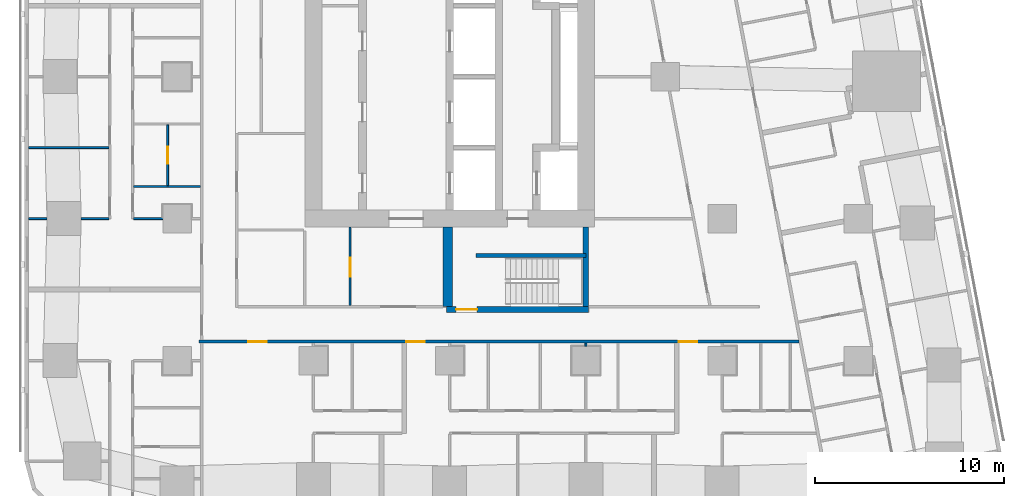
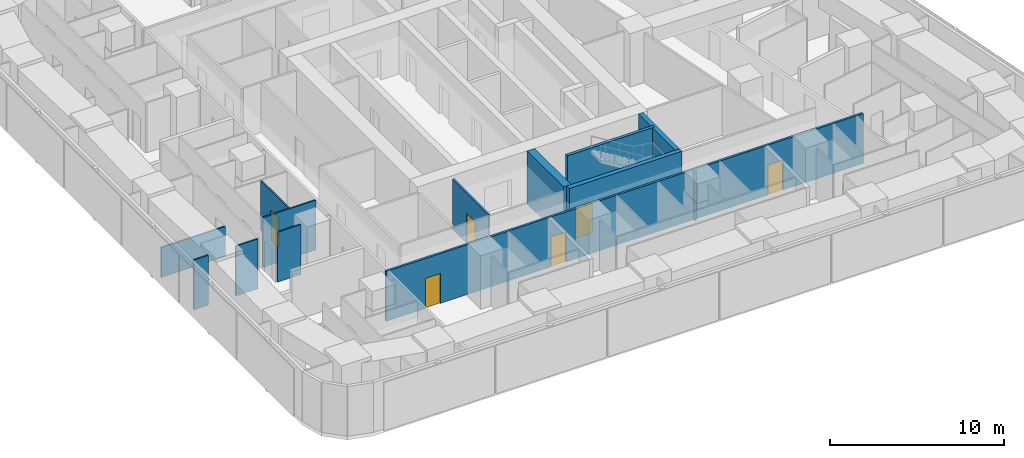
# One storey, part 4 of 15: 13 walls, 6 doors, 6 openings.
"""IFC4 building model written with IfcOpenShell, lengths in metres."""

from ifc_helpers import new_model, si_unit, direction, frame, frame_2d, origin, place, context, subcontext, project, spatial, rectangle, extrude, material, layer, layer_set, type_object, element, fill, save


model = new_model("IFC4")

# Units and contexts
model_context = context("Model", 3, precision=1e-05, world=origin(), true_north=direction((0.0, 1.0)))
body_context = subcontext(model_context, "Body", "Model", "MODEL_VIEW")
ifc_project = project(units=[si_unit("LENGTHUNIT", "METRE"), si_unit("AREAUNIT", "SQUARE_METRE"), si_unit("VOLUMEUNIT", "CUBIC_METRE"), si_unit("PLANEANGLEUNIT", "RADIAN"), si_unit("MASSUNIT", "GRAM", prefix="KILO")], contexts=[model_context])

# Site, building, storey
site_placement = place(None, origin())
site = spatial("IfcSite", under=ifc_project, at=site_placement, CompositionType="ELEMENT")
building_placement = place(site_placement, origin())
building = spatial("IfcBuilding", under=site, at=building_placement, Name="Sheger Commons Tower", CompositionType="ELEMENT")
storey_placement = place(building_placement, frame((0.0, 0.0, 165.800048828125)))
storey = spatial("IfcBuildingStorey", under=building, at=storey_placement, Name="L42", CompositionType="ELEMENT", Elevation=165.800048828125)

# Wall, openings, doors
ifc_material_1 = material(Name="Hollow concrete block masonry, skimmed both sides", Category="masonry")
ifc_layer_1 = layer(ifc_material_1, 0.14990234375)
ifc_layer_set_1 = layer_set([ifc_layer_1], Name="CORRIDOR WALL 150")
wall_type_1 = type_object("IfcWallType", Name="CORRIDOR WALL 150", PredefinedType="SOLIDWALL", material=ifc_layer_set_1)
wall_1_placement = place(storey_placement, frame((40.052978515625, 8.5, 0.0), z_axis=(0.0, 0.0, 1.0), x_axis=(-1.0, 0.0, 0.0)))
wall_1 = element("IfcWall", 1, at=wall_1_placement, inside=storey, type_object=wall_type_1, Name="Corridor wall L42", PredefinedType="SOLIDWALL", context=body_context, shape_type="SweptSolid", body=[
    extrude(rectangle(XDim=31.702880859375, YDim=0.14990234375, at=frame_2d((15.8515625, 0.0))), origin(), (0.0, 0.0, 1.0), 3.5),
])
opening_1_placement = place(wall_1_placement, frame((28.10302734375, 0.0, 0.0)))
opening_1 = element("IfcOpeningElement", 2, at=opening_1_placement, cuts=wall_1, Name="Opening D1", PredefinedType="OPENING", context=body_context, shape_type="SweptSolid", body=[
    extrude(rectangle(XDim=1.0, YDim=2.10009765625, at=frame_2d((0.5, 1.050048828125))), frame((0.0, 0.0849609375, 0.0), z_axis=(0.0, -1.0, 0.0), x_axis=(1.0, 0.0, 0.0)), (0.0, 0.0, 1.0), 0.169921875),
])
opening_2_placement = place(wall_1_placement, frame((19.75390625, 0.0, 0.0)))
opening_2 = element("IfcOpeningElement", 3, at=opening_2_placement, cuts=wall_1, Name="Opening D1", PredefinedType="OPENING", context=body_context, shape_type="SweptSolid", body=[
    extrude(rectangle(XDim=1.0, YDim=2.10009765625, at=frame_2d((0.5, 1.050048828125))), frame((0.0, 0.0849609375, 0.0), z_axis=(0.0, -1.0, 0.0), x_axis=(1.0, 0.0, 0.0)), (0.0, 0.0, 1.0), 0.169921875),
])
opening_3_placement = place(wall_1_placement, frame((5.35400390625, 0.0, 0.0)))
opening_3 = element("IfcOpeningElement", 4, at=opening_3_placement, cuts=wall_1, Name="Opening D1", PredefinedType="OPENING", context=body_context, shape_type="SweptSolid", body=[
    extrude(rectangle(XDim=1.0, YDim=2.10009765625, at=frame_2d((0.5, 1.050048828125))), frame((0.0, 0.0849609375, 0.0), z_axis=(0.0, -1.0, 0.0), x_axis=(1.0, 0.0, 0.0)), (0.0, 0.0, 1.0), 0.169921875),
])
ifc_material_2 = material(Name="Steel door set, fire rated", Category="steel")
door_type_1 = type_object("IfcDoorType", Name="FLAT ENTRANCE DOOR 1000x2100", OperationType="NOTDEFINED", PredefinedType="DOOR", material=ifc_material_2)
door_1_placement = place(opening_1_placement, origin())
door_1 = element("IfcDoor", 5, at=door_1_placement, inside=storey, type_object=door_type_1, Name="Flat entrance door", OperationType="SINGLE_SWING_RIGHT", OverallHeight=2.10009765625, OverallWidth=1.0, PredefinedType="DOOR", context=body_context, shape_type="SweptSolid", body=[
    extrude(rectangle(XDim=1.0, YDim=2.10009765625, at=frame_2d((0.5, 1.050048828125))), frame((0.0, 0.02490234375, 0.0), z_axis=(0.0, -1.0, 0.0), x_axis=(1.0, 0.0, 0.0)), (0.0, 0.0, 1.0), 0.050048828125),
])
fill(opening_1, door_1)
door_2_placement = place(opening_2_placement, origin())
door_2 = element("IfcDoor", 6, at=door_2_placement, inside=storey, type_object=door_type_1, Name="Flat entrance door", OperationType="SINGLE_SWING_RIGHT", OverallHeight=2.10009765625, OverallWidth=1.0, PredefinedType="DOOR", context=body_context, shape_type="SweptSolid", body=[
    extrude(rectangle(XDim=1.0, YDim=2.10009765625, at=frame_2d((0.5, 1.050048828125))), frame((0.0, 0.02490234375, 0.0), z_axis=(0.0, -1.0, 0.0), x_axis=(1.0, 0.0, 0.0)), (0.0, 0.0, 1.0), 0.050048828125),
])
fill(opening_2, door_2)
door_3_placement = place(opening_3_placement, origin())
door_3 = element("IfcDoor", 7, at=door_3_placement, inside=storey, type_object=door_type_1, Name="Flat entrance door", OperationType="SINGLE_SWING_RIGHT", OverallHeight=2.10009765625, OverallWidth=1.0, PredefinedType="DOOR", context=body_context, shape_type="SweptSolid", body=[
    extrude(rectangle(XDim=1.0, YDim=2.10009765625, at=frame_2d((0.5, 1.050048828125))), frame((0.0, 0.02490234375, 0.0), z_axis=(0.0, -1.0, 0.0), x_axis=(1.0, 0.0, 0.0)), (0.0, 0.0, 1.0), 0.050048828125),
])
fill(opening_3, door_3)

# Walls
ifc_material_3 = material(Name="Gypsum board on steel studs", Category="steel")
ifc_layer_2 = layer(ifc_material_3, 0.10009765625)
ifc_layer_set_2 = layer_set([ifc_layer_2], Name="PARTITION 100")
wall_type_2 = type_object("IfcWallType", Name="PARTITION 100", PredefinedType="PARTITIONING", material=ifc_layer_set_2)
wall_2_placement = place(storey_placement, frame((-0.64990234375, 15.0, 0.0), z_axis=(0.0, 0.0, 1.0), x_axis=(1.0, 0.0, 0.0)))
element("IfcWall", 8, at=wall_2_placement, inside=storey, type_object=wall_type_2, Name="Partition L42", PredefinedType="PARTITIONING", context=body_context, shape_type="SweptSolid", body=[
    extrude(rectangle(XDim=0.973876953125, YDim=0.10009765625, at=frame_2d((0.48681640625, 0.0))), origin(), (0.0, 0.0, 1.0), 3.5),
])
wall_3_placement = place(storey_placement, frame((2.1259765625, 15.0, 0.0), z_axis=(0.0, 0.0, 1.0), x_axis=(1.0, 0.0, 0.0)))
element("IfcWall", 9, at=wall_3_placement, inside=storey, type_object=wall_type_2, Name="Partition L42", PredefinedType="PARTITIONING", context=body_context, shape_type="SweptSolid", body=[
    extrude(rectangle(XDim=1.47412109375, YDim=0.10009765625, at=frame_2d((0.737060546875, 0.0))), origin(), (0.0, 0.0, 1.0), 3.5),
])
wall_4_placement = place(storey_placement, frame((-0.64990234375, 18.75, 0.0), z_axis=(0.0, 0.0, 1.0), x_axis=(1.0, 0.0, 0.0)))
element("IfcWall", 10, at=wall_4_placement, inside=storey, type_object=wall_type_2, Name="Partition L42", PredefinedType="PARTITIONING", context=body_context, shape_type="SweptSolid", body=[
    extrude(rectangle(XDim=4.25, YDim=0.10009765625, at=frame_2d((2.125, 0.0))), origin(), (0.0, 0.0, 1.0), 2.099853515625),
])
wall_5_placement = place(storey_placement, frame((4.89990234375, 15.0, 0.0), z_axis=(0.0, 0.0, 1.0), x_axis=(1.0, 0.0, 0.0)))
element("IfcWall", 11, at=wall_5_placement, inside=storey, type_object=wall_type_2, Name="Partition L42", PredefinedType="PARTITIONING", context=body_context, shape_type="SweptSolid", body=[
    extrude(rectangle(XDim=1.549072265625, YDim=0.10009765625, at=frame_2d((0.7744140625, 0.0))), origin(), (0.0, 0.0, 1.0), 3.5),
])
wall_6_placement = place(storey_placement, frame((4.89990234375, 16.699951171875, 0.0), z_axis=(0.0, 0.0, 1.0), x_axis=(1.0, 0.0, 0.0)))
element("IfcWall", 12, at=wall_6_placement, inside=storey, type_object=wall_type_2, Name="Partition L42", PredefinedType="PARTITIONING", context=body_context, shape_type="SweptSolid", body=[
    extrude(rectangle(XDim=3.525146484375, YDim=0.10009765625, at=frame_2d((1.7626953125, 0.0))), origin(), (0.0, 0.0, 1.0), 3.5),
])
wall_7_placement = place(storey_placement, frame((28.800048828125, 8.2509765625, 0.0), z_axis=(0.0, 0.0, 1.0), x_axis=(0.0, 1.0, 0.0)))
element("IfcWall", 13, at=wall_7_placement, inside=storey, type_object=wall_type_2, Name="Partition L42", PredefinedType="PARTITIONING", context=body_context, shape_type="SweptSolid", body=[
    extrude(rectangle(XDim=0.174072265625, YDim=0.10009765625, at=frame_2d((0.0869140625, 0.0))), origin(), (0.0, 0.0, 1.0), 3.5),
])

# Wall, opening, door
wall_8_placement = place(storey_placement, frame((6.699951171875, 16.75, 0.0), z_axis=(0.0, 0.0, 1.0), x_axis=(0.0, 1.0, 0.0)))
wall_8 = element("IfcWall", 14, at=wall_8_placement, inside=storey, type_object=wall_type_2, Name="Partition L42", PredefinedType="PARTITIONING", context=body_context, shape_type="SweptSolid", body=[
    extrude(rectangle(XDim=3.198974609375, YDim=0.10009765625, at=frame_2d((1.599609375, 0.0))), origin(), (0.0, 0.0, 1.0), 3.5),
])
opening_4_placement = place(wall_8_placement, frame((1.14892578125, 0.0, 0.0)))
opening_4 = element("IfcOpeningElement", 15, at=opening_4_placement, cuts=wall_8, Name="Opening D2", PredefinedType="OPENING", context=body_context, shape_type="SweptSolid", body=[
    extrude(rectangle(XDim=0.89990234375, YDim=2.10009765625, at=frame_2d((0.449951171875, 1.050048828125))), frame((0.0, 0.06005859375, 0.0), z_axis=(0.0, -1.0, 0.0), x_axis=(1.0, 0.0, 0.0)), (0.0, 0.0, 1.0), 0.1201171875),
])
ifc_material_4 = material(Name="Timber door set", Category="wood")
door_type_2 = type_object("IfcDoorType", Name="INTERNAL DOOR 900x2100", OperationType="NOTDEFINED", PredefinedType="DOOR", material=ifc_material_4)
door_4_placement = place(opening_4_placement, origin())
door_4 = element("IfcDoor", 16, at=door_4_placement, inside=storey, type_object=door_type_2, Name="Store door", OperationType="SINGLE_SWING_LEFT", OverallHeight=2.10009765625, OverallWidth=0.89990234375, PredefinedType="DOOR", context=body_context, shape_type="SweptSolid", body=[
    extrude(rectangle(XDim=0.89990234375, YDim=2.10009765625, at=frame_2d((0.449951171875, 1.050048828125))), frame((0.0, 0.02490234375, 0.0), z_axis=(0.0, -1.0, 0.0), x_axis=(1.0, 0.0, 0.0)), (0.0, 0.0, 1.0), 0.050048828125),
])
fill(opening_4, door_4)

ifc_material_5 = material(Name="Gypsum board on steel studs, two layers each side, fire rated", Category="steel")
ifc_layer_3 = layer(ifc_material_5, 0.125)
ifc_layer_set_3 = layer_set([ifc_layer_3], Name="SERVICE WALL 125")
wall_type_3 = type_object("IfcWallType", Name="SERVICE WALL 125", PredefinedType="PARTITIONING", material=ifc_layer_set_3)
wall_9_placement = place(storey_placement, frame((16.340087890625, 10.4130859375, 0.0), z_axis=(0.0, 0.0, 1.0), x_axis=(0.0, 1.0, 0.0)))
wall_9 = element("IfcWall", 17, at=wall_9_placement, inside=storey, type_object=wall_type_3, Name="Service room wall L42", PredefinedType="PARTITIONING", context=body_context, shape_type="SweptSolid", body=[
    extrude(rectangle(XDim=4.136962890625, YDim=0.125, at=frame_2d((2.068359375, 0.0))), origin(), (0.0, 0.0, 1.0), 3.5),
])
opening_5_placement = place(wall_9_placement, frame((1.511962890625, 0.0, 0.0)))
opening_5 = element("IfcOpeningElement", 18, at=opening_5_placement, cuts=wall_9, Name="Opening D4", PredefinedType="OPENING", context=body_context, shape_type="SweptSolid", body=[
    extrude(rectangle(XDim=1.0, YDim=2.10009765625, at=frame_2d((0.5, 1.050048828125))), frame((0.0, 0.072509765625, 0.0), z_axis=(0.0, -1.0, 0.0), x_axis=(1.0, 0.0, 0.0)), (0.0, 0.0, 1.0), 0.14501953125),
])
ifc_material_6 = material(Name="Steel door set, fire rated", Category="steel")
door_type_3 = type_object("IfcDoorType", Name="SERVICE DOOR 1000x2100", OperationType="NOTDEFINED", PredefinedType="DOOR", material=ifc_material_6)
door_5_placement = place(opening_5_placement, origin())
door_5 = element("IfcDoor", 19, at=door_5_placement, inside=storey, type_object=door_type_3, Name="Electrical room door", OperationType="SINGLE_SWING_LEFT", OverallHeight=2.10009765625, OverallWidth=1.0, PredefinedType="DOOR", context=body_context, shape_type="SweptSolid", body=[
    extrude(rectangle(XDim=1.0, YDim=2.10009765625, at=frame_2d((0.5, 1.050048828125))), frame((0.0, 0.02490234375, 0.0), z_axis=(0.0, -1.0, 0.0), x_axis=(1.0, 0.0, 0.0)), (0.0, 0.0, 1.0), 0.050048828125),
])
fill(opening_5, door_5)

ifc_material_7 = material(Name="Concrete C50/60", Category="concrete")
ifc_layer_4 = layer(ifc_material_7, 0.300048828125)
ifc_layer_set_4 = layer_set([ifc_layer_4], Name="STAIR CORE WALL 300")
wall_type_4 = type_object("IfcWallType", Name="STAIR CORE WALL 300", PredefinedType="SHEAR", material=ifc_layer_set_4)
wall_10_placement = place(storey_placement, frame((21.449951171875, 10.199951171875, 0.0), z_axis=(0.0, 0.0, 1.0), x_axis=(1.0, 0.0, 0.0)))
wall_10 = element("IfcWall", 20, at=wall_10_placement, inside=storey, type_object=wall_type_4, Name="STW-L42-S1S", PredefinedType="SHEAR", context=body_context, shape_type="SweptSolid", body=[
    extrude(rectangle(XDim=7.5, YDim=0.300048828125, at=frame_2d((3.75, 0.0))), origin(), (0.0, 0.0, 1.0), 3.75),
])
opening_6_placement = place(wall_10_placement, frame((0.5, 0.0, 0.0)))
opening_6 = element("IfcOpeningElement", 21, at=opening_6_placement, cuts=wall_10, Name="Opening D5", PredefinedType="OPENING", context=body_context, shape_type="SweptSolid", body=[
    extrude(rectangle(XDim=1.10009765625, YDim=2.10009765625, at=frame_2d((0.550048828125, 1.050048828125))), frame((0.0, 0.159912109375, 0.0), z_axis=(0.0, -1.0, 0.0), x_axis=(1.0, 0.0, 0.0)), (0.0, 0.0, 1.0), 0.320068359375),
])
ifc_material_8 = material(Name="Steel door set, fire rated", Category="steel")
door_type_4 = type_object("IfcDoorType", Name="STAIR DOOR 1100x2100", OperationType="NOTDEFINED", PredefinedType="DOOR", material=ifc_material_8)
door_6_placement = place(opening_6_placement, origin())
door_6 = element("IfcDoor", 22, at=door_6_placement, inside=storey, type_object=door_type_4, Name="Stair S1 door", OperationType="SINGLE_SWING_LEFT", OverallHeight=2.10009765625, OverallWidth=1.10009765625, PredefinedType="DOOR", context=body_context, shape_type="SweptSolid", body=[
    extrude(rectangle(XDim=1.10009765625, YDim=2.10009765625, at=frame_2d((0.550048828125, 1.050048828125))), frame((0.0, 0.02490234375, 0.0), z_axis=(0.0, -1.0, 0.0), x_axis=(1.0, 0.0, 0.0)), (0.0, 0.0, 1.0), 0.050048828125),
])
fill(opening_6, door_6)

# Walls
wall_11_placement = place(storey_placement, frame((28.800048828125, 10.35009765625, 0.0), z_axis=(0.0, 0.0, 1.0), x_axis=(0.0, 1.0, 0.0)))
element("IfcWall", 23, at=wall_11_placement, inside=storey, type_object=wall_type_4, Name="STW-L42-S1E", PredefinedType="SHEAR", context=body_context, shape_type="SweptSolid", body=[
    extrude(rectangle(XDim=4.199951171875, YDim=0.300048828125, at=frame_2d((2.10009765625, 0.0))), origin(), (0.0, 0.0, 1.0), 3.75),
])
ifc_material_9 = material(Name="Concrete C50/60", Category="concrete")
ifc_layer_5 = layer(ifc_material_9, 0.5)
ifc_layer_set_5 = layer_set([ifc_layer_5], Name="STAIR CORE WALL 500")
wall_type_5 = type_object("IfcWallType", Name="STAIR CORE WALL 500", PredefinedType="SHEAR", material=ifc_layer_set_5)
wall_12_placement = place(storey_placement, frame((21.5, 10.35009765625, 0.0), z_axis=(0.0, 0.0, 1.0), x_axis=(0.0, 1.0, 0.0)))
element("IfcWall", 24, at=wall_12_placement, inside=storey, type_object=wall_type_5, Name="STW-L42-S1W", PredefinedType="SHEAR", context=body_context, shape_type="SweptSolid", body=[
    extrude(rectangle(XDim=4.199951171875, YDim=0.5, at=frame_2d((2.10009765625, 0.0))), origin(), (0.0, 0.0, 1.0), 3.75),
])
ifc_material_10 = material(Name="Concrete C50/60", Category="concrete")
ifc_layer_6 = layer(ifc_material_10, 0.199951171875)
ifc_layer_set_6 = layer_set([ifc_layer_6], Name="STAIR SPINE WALL 200")
wall_type_6 = type_object("IfcWallType", Name="STAIR SPINE WALL 200", PredefinedType="SHEAR", material=ifc_layer_set_6)
wall_13_placement = place(storey_placement, frame((23.0, 13.050048828125, 0.0), z_axis=(0.0, 0.0, 1.0), x_axis=(1.0, 0.0, 0.0)))
element("IfcWall", 25, at=wall_13_placement, inside=storey, type_object=wall_type_6, Name="Stair spine wall L42", PredefinedType="SHEAR", context=body_context, shape_type="SweptSolid", body=[
    extrude(rectangle(XDim=5.800048828125, YDim=0.199951171875, at=frame_2d((2.89990234375, 0.0))), origin(), (0.0, 0.0, 1.0), 3.75),
])

save(model, "model.ifc")
